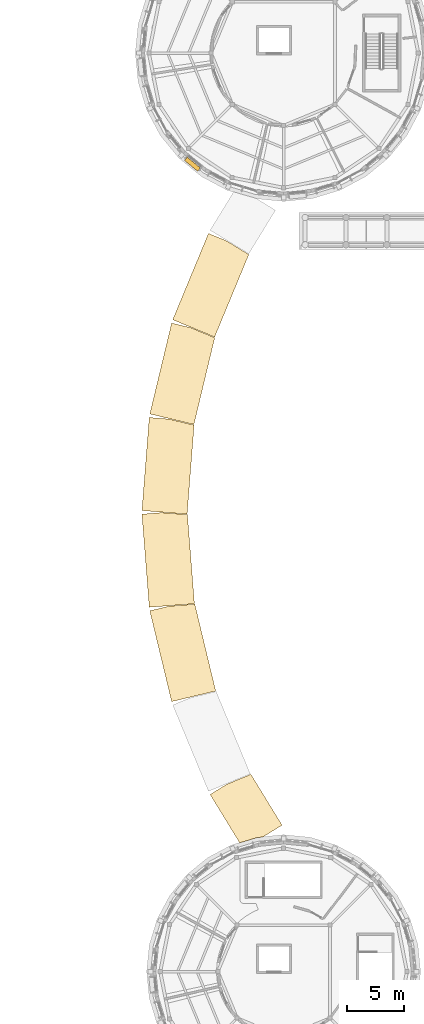
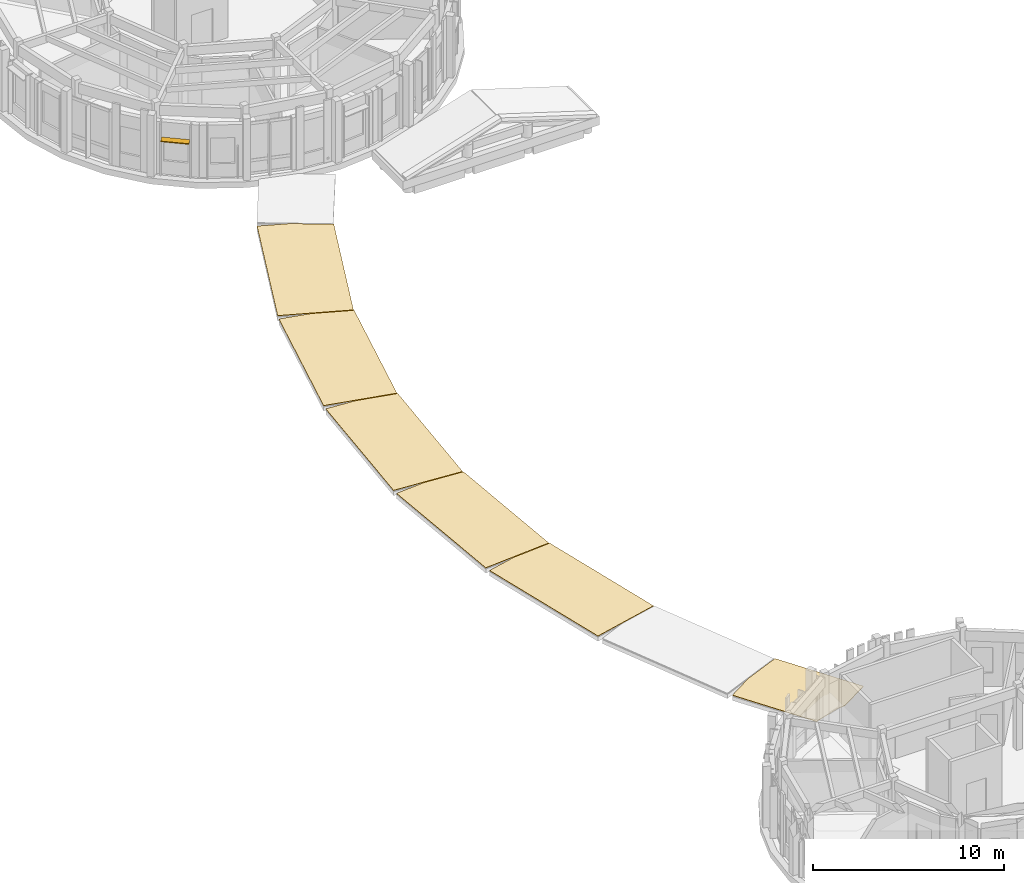
# One storey, part 56 of 58: 6 coverings, 1 shading device.
"""IFC4 building model written with IfcOpenShell, lengths in metres."""

from ifc_helpers import new_model, si_unit, direction, frame, origin, origin_2d, place, context, subcontext, project, spatial, polyline, rectangle, outline, extrude, material, layer, layer_set, type_object, element, save


model = new_model("IFC4")

# Units and contexts
model_context = context("Model", 3, precision=1e-05, world=origin(), true_north=direction((0.0, 1.0)))
body_context = subcontext(model_context, "Body", "Model", "MODEL_VIEW")
ifc_project = project(units=[si_unit("LENGTHUNIT", "METRE"), si_unit("AREAUNIT", "SQUARE_METRE"), si_unit("VOLUMEUNIT", "CUBIC_METRE"), si_unit("PLANEANGLEUNIT", "RADIAN"), si_unit("MASSUNIT", "GRAM", prefix="KILO")], contexts=[model_context])

# Site, building, storey
site_placement = place(None, origin())
site = spatial("IfcSite", under=ifc_project, at=site_placement, CompositionType="ELEMENT")
building_placement = place(site_placement, origin())
building = spatial("IfcBuilding", under=site, at=building_placement, Name="Aldenvaro Health Centre", CompositionType="ELEMENT")
storey_placement = place(building_placement, frame((0.0, 0.0, 8.75)))
storey = spatial("IfcBuildingStorey", under=building, at=storey_placement, Name="L02", CompositionType="ELEMENT", Elevation=8.75)

# Coverings
ifc_material_1 = material(Name="TPO Reflective Cool Roof Membrane")
ifc_layer = layer(ifc_material_1, 0.030029296875, Name="TPO Reflective Cool Roof Membrane")
ifc_layer_set = layer_set([ifc_layer], Name="TPO Reflective Cool Roof Membrane")
covering_type = type_object("IfcCoveringType", Name="COV-RF-MEM", PredefinedType="ROOFING", material=ifc_layer_set)
covering_1_placement = place(storey_placement, frame((0.0, 0.0, 0.06005859375)))
element("IfcCovering", 1, at=covering_1_placement, inside=storey, type_object=covering_type, Name="East Curved Garden Colonnade Arc 2 flat roof Cool Limestone Ballast Membrane", PredefinedType="ROOFING", context=body_context, shape_type="SweptSolid", body=[
    extrude(outline(polyline([(148.41796875, 74.4580078125), (144.721923828125, 75.988037109375), (147.8740234375, 83.60009765625), (149.486083984375, 82.93310546875), (151.43310546875, 81.739013671875), (148.41796875, 74.4580078125)])), origin(), (0.0, 0.0, 1.0), 0.030029296875),
])
covering_2_placement = place(storey_placement, frame((0.0, 0.0, 0.06005859375)))
element("IfcCovering", 2, at=covering_2_placement, inside=storey, type_object=covering_type, Name="East Curved Garden Colonnade Arc 3 flat roof Cool Limestone Ballast Membrane", PredefinedType="ROOFING", context=body_context, shape_type="SweptSolid", body=[
    extrude(outline(polyline([(146.591064453125, 66.74609375), (142.700927734375, 67.679931640625), (144.625, 75.68994140625), (146.321044921875, 75.282958984375), (148.430908203125, 74.408935546875), (146.591064453125, 66.74609375)])), origin(), (0.0, 0.0, 1.0), 0.030029296875),
])
covering_3_placement = place(storey_placement, frame((0.0, 0.0, 0.06005859375)))
element("IfcCovering", 3, at=covering_3_placement, inside=storey, type_object=covering_type, Name="East Curved Garden Colonnade Arc 4 flat roof Cool Limestone Ballast Membrane", PredefinedType="ROOFING", context=body_context, shape_type="SweptSolid", body=[
    extrude(outline(polyline([(145.993896484375, 58.843017578125), (142.006103515625, 59.156982421875), (142.652099609375, 67.3701171875), (144.39111328125, 67.23291015625), (146.612060546875, 66.699951171875), (145.993896484375, 58.843017578125)])), origin(), (0.0, 0.0, 1.0), 0.030029296875),
])
covering_4_placement = place(storey_placement, frame((0.0, 0.0, 0.06005859375)))
element("IfcCovering", 4, at=covering_4_placement, inside=storey, type_object=covering_type, Name="East Curved Garden Colonnade Arc 5 flat roof Cool Limestone Ballast Membrane", PredefinedType="ROOFING", context=body_context, shape_type="SweptSolid", body=[
    extrude(outline(polyline([(146.639892578125, 50.944091796875), (142.652099609375, 50.6298828125), (142.006103515625, 58.843017578125), (143.7451171875, 58.97998046875), (146.02197265625, 58.801025390625), (146.639892578125, 50.944091796875)])), origin(), (0.0, 0.0, 1.0), 0.030029296875),
])
covering_5_placement = place(storey_placement, frame((0.0, 0.0, 0.06005859375)))
element("IfcCovering", 5, at=covering_5_placement, inside=storey, type_object=covering_type, Name="East Curved Garden Colonnade Arc 6 flat roof Cool Limestone Ballast Membrane", PredefinedType="ROOFING", context=body_context, shape_type="SweptSolid", body=[
    extrude(outline(polyline([(148.514892578125, 43.243896484375), (144.625, 42.31005859375), (142.700927734375, 50.320068359375), (144.39697265625, 50.72705078125), (146.674072265625, 50.906982421875), (148.514892578125, 43.243896484375)])), origin(), (0.0, 0.0, 1.0), 0.030029296875),
])
covering_6_placement = place(storey_placement, frame((0.0, 0.0, 0.06005859375)))
element("IfcCovering", 6, at=covering_6_placement, inside=storey, type_object=covering_type, Name="East Curved Garden Colonnade Arc 8 flat roof Cool Limestone Ballast Membrane", PredefinedType="ROOFING", context=body_context, shape_type="SweptSolid", body=[
    extrude(outline(polyline([(148.01708984375, 34.1201171875), (149.50390625, 35.031982421875), (151.614013671875, 35.905029296875), (154.366943359375, 31.4140625), (152.662109375, 30.368896484375), (152.14892578125, 30.318115234375), (150.62890625, 29.85693359375), (148.01708984375, 34.1201171875)])), origin(), (0.0, 0.0, 1.0), 0.030029296875),
])

# Shading device
ifc_material_2 = material(Name="Douglas Fir Exterior Glulam GL28h", Category="wood")
shading_device_type = type_object("IfcShadingDeviceType", Name="SHD-LVR-150", PredefinedType="JALOUSIE", material=ifc_material_2)
shading_device_placement = place(storey_placement, frame((146.458984375, 89.701904296875, 2.302734375), z_axis=(0.0, 0.0, 1.0), x_axis=(-0.773021639749, 0.634379653268, 0.0)))
element("IfcShadingDevice", 7, at=shading_device_placement, inside=storey, type_object=shading_device_type, Name="D2 L02 horizontal solar louvre 12", PredefinedType="JALOUSIE", context=body_context, shape_type="SweptSolid", body=[
    extrude(rectangle(XDim=1.5, YDim=0.3798828125, at=origin_2d()), origin(), (0.0, 0.0, 1.0), 0.054931640625),
])

save(model, "model.ifc")
